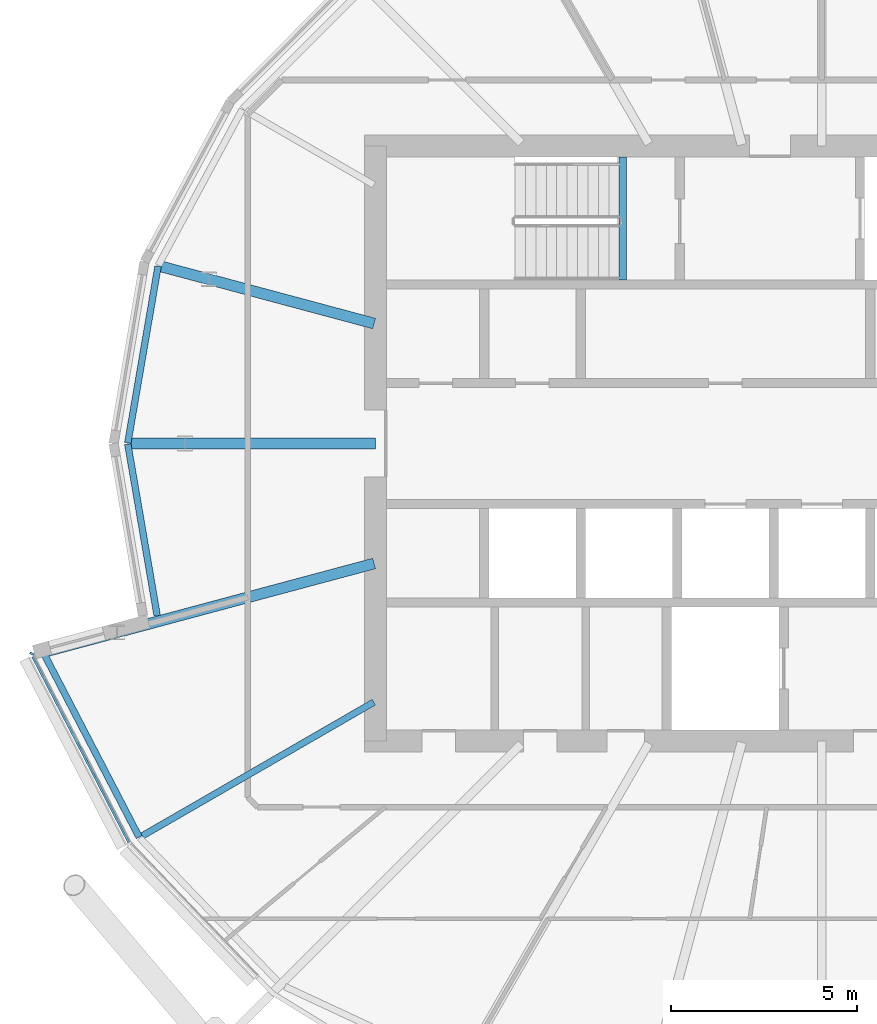
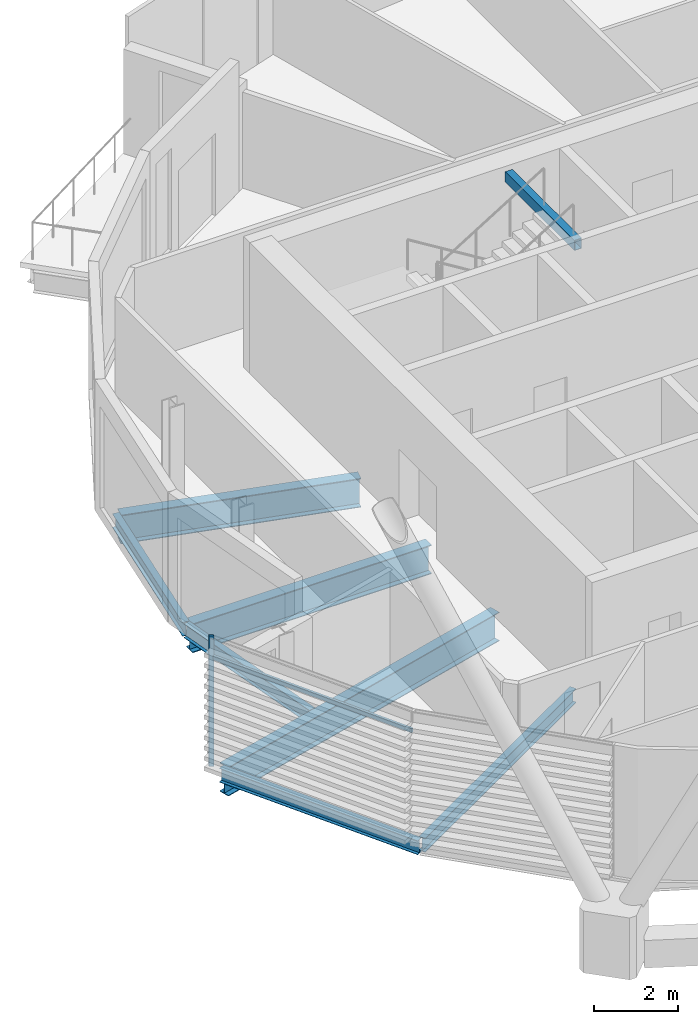
# One storey, part 5 of 37: 8 beams, 2 members, 1 element without a shape of its own.
"""IFC4 building model written with IfcOpenShell, lengths in metres."""

from ifc_helpers import new_model, si_unit, direction, frame, origin, origin_2d, place, context, subcontext, project, spatial, rectangle, hollow_rectangle, i_section, extrude, material, material_profile, profile_set, type_object, element, aggregate, save


model = new_model("IFC4")

# Units and contexts
model_context = context("Model", 3, precision=1e-05, world=origin(), true_north=direction((0.0, 1.0)))
body_context = subcontext(model_context, "Body", "Model", "MODEL_VIEW")
ifc_project = project(units=[si_unit("LENGTHUNIT", "METRE"), si_unit("AREAUNIT", "SQUARE_METRE"), si_unit("VOLUMEUNIT", "CUBIC_METRE"), si_unit("PLANEANGLEUNIT", "RADIAN"), si_unit("MASSUNIT", "GRAM", prefix="KILO")], contexts=[model_context])

# Site, building, storey
site_placement = place(None, origin())
site = spatial("IfcSite", under=ifc_project, at=site_placement, CompositionType="ELEMENT")
building_placement = place(site_placement, origin())
building = spatial("IfcBuilding", under=site, at=building_placement, Name="Rimbun Link Towers", CompositionType="ELEMENT")
storey_placement = place(building_placement, frame((0.0, 0.0, 170.300048828125)))
storey = spatial("IfcBuildingStorey", under=building, at=storey_placement, Name="L41", CompositionType="ELEMENT", Elevation=170.300048828125)

# Curtain wall, members
ifc_material_1 = material(Name="Aluminium 6063-T6 and low-iron glass", Category="aluminium")
curtain_wall_type = type_object("IfcCurtainWallType", Name="CW1-Z3 unitised vision wall (zone 3)", PredefinedType="NOTDEFINED", material=ifc_material_1)
curtain_wall_placement = place(storey_placement, origin())
curtain_wall = element("IfcCurtainWall", 1, at=curtain_wall_placement, inside=storey, type_object=curtain_wall_type, Name="CW1 L41 T1", PredefinedType="NOTDEFINED")
ifc_material_2 = material(Name="Aluminium 6063-T6", Category="aluminium")
ifc_material_profile_1 = material_profile(ifc_material_2, rectangle(XDim=0.1201171875, YDim=0.06005859375, at=origin_2d()), Name="MULLION 60X120")
ifc_profile_set_1 = profile_set([ifc_material_profile_1], Name="Aluminium 6063-T6")
member_type_1 = type_object("IfcMemberType", Name="CW1 mullion 60X120", PredefinedType="MULLION", material=ifc_profile_set_1)
member_1_placement = place(storey_placement, frame((-52.989990234375, -5.65234375, 0.0), z_axis=(0.0, 0.0, 1.0), x_axis=(-0.914812198449, 0.403879488918, 0.0)))
member_1 = element("IfcMember", 2, at=member_1_placement, type_object=member_type_1, Name="CW1 mullion", PredefinedType="MULLION", context=body_context, shape_type="SweptSolid", body=[
    extrude(rectangle(XDim=0.1201171875, YDim=0.06005859375, at=origin_2d()), origin(), (0.0, 0.0, 1.0), 3.800048828125),
])
ifc_material_3 = material(Name="Aluminium 6063-T6", Category="aluminium")
ifc_material_profile_2 = material_profile(ifc_material_3, rectangle(XDim=0.06005859375, YDim=0.1201171875, at=origin_2d()), Name="TRANSOM 60X120")
ifc_profile_set_2 = profile_set([ifc_material_profile_2], Name="Aluminium 6063-T6")
member_type_2 = type_object("IfcMemberType", Name="CW1 transom 60X120", PredefinedType="USERDEFINED", material=ifc_profile_set_2)
member_2_placement = place(storey_placement, frame((-50.388916015625, -10.723388671875, 3.199951171875), z_axis=(-0.459571750769, 0.888140645335, 0.0), x_axis=(-0.888140645335, -0.459571750769, 0.0)))
member_2 = element("IfcMember", 3, at=member_2_placement, type_object=member_type_2, Name="CW1 transom", ObjectType="TRANSOM", PredefinedType="USERDEFINED", context=body_context, shape_type="SweptSolid", body=[
    extrude(rectangle(XDim=0.06005859375, YDim=0.1201171875, at=origin_2d()), origin(), (0.0, 0.0, 1.0), 5.62255859375),
])
aggregate(curtain_wall, [member_1, member_2])

# Beams
ifc_material_4 = material(Name="Steel S355J2", Category="steel")
ifc_material_profile_3 = material_profile(ifc_material_4, hollow_rectangle(XDim=0.199951171875, YDim=0.300048828125, WallThickness=0.011962890625, at=origin_2d()), Name="BOX 300x200x12")
ifc_profile_set_3 = profile_set([ifc_material_profile_3], Name="Steel S355J2")
beam_type_1 = type_object("IfcBeamType", Name="Stair trimmer beam BOX 300x200x12", PredefinedType="BEAM", material=ifc_profile_set_3)
beam_1_placement = place(storey_placement, frame((-37.10009765625, 7.699951171875, 3.5), z_axis=(0.0, -1.0, 0.0), x_axis=(1.0, 0.0, 0.0)))
element("IfcBeam", 4, at=beam_1_placement, inside=storey, type_object=beam_type_1, Name="L41 ST1 stair beam 1", PredefinedType="BEAM", context=body_context, shape_type="SweptSolid", body=[
    extrude(hollow_rectangle(XDim=0.199951171875, YDim=0.300048828125, WallThickness=0.011962890625, at=origin_2d()), origin(), (0.0, 0.0, 1.0), 3.300048828125),
])
ifc_material_5 = material(Name="Steel S355J2", Category="steel")
ifc_material_profile_4 = material_profile(ifc_material_5, i_section(OverallWidth=0.177978515625, OverallDepth=0.406494140625, WebThickness=0.0078125, FlangeThickness=0.0126953125, at=origin_2d()), Name="UB 406x178x60")
ifc_profile_set_4 = profile_set([ifc_material_profile_4], Name="Steel S355J2")
beam_type_2 = type_object("IfcBeamType", Name="UB 406x178x60", PredefinedType="BEAM", material=ifc_profile_set_4)
beam_2_placement = place(storey_placement, frame((-43.79541015625, -6.954345703125, -0.353271484375), z_axis=(-0.86602387423, -0.500002649256, 0.0), x_axis=(0.500002649256, -0.86602387423, 0.0)))
element("IfcBeam", 5, at=beam_2_placement, inside=storey, type_object=beam_type_2, Name="Radial beam T1 L41 14", PredefinedType="BEAM", context=body_context, shape_type="SweptSolid", body=[
    extrude(i_section(OverallWidth=0.177978515625, OverallDepth=0.406494140625, WebThickness=0.0078125, FlangeThickness=0.0126953125, at=origin_2d()), origin(), (0.0, 0.0, 1.0), 7.1904296875),
])
beam_3_placement = place(storey_placement, frame((-49.5986328125, 4.7666015625, -0.353271484375), z_axis=(-0.168783846977, -0.98565308958, 0.0), x_axis=(0.98565308958, -0.168783846977, 0.0)))
element("IfcBeam", 6, at=beam_3_placement, inside=storey, type_object=beam_type_2, Name="Edge beam T1 L41 11 recess", PredefinedType="BEAM", context=body_context, shape_type="SweptSolid", body=[
    extrude(i_section(OverallWidth=0.177978515625, OverallDepth=0.406494140625, WebThickness=0.0078125, FlangeThickness=0.0126953125, at=origin_2d()), origin(), (0.0, 0.0, 1.0), 4.819580078125),
])
beam_4_placement = place(storey_placement, frame((-50.412109375, -0.01611328125, -0.353271484375), z_axis=(0.168797263742, -0.985650791991, 0.0), x_axis=(0.985650791991, 0.168797263742, 0.0)))
element("IfcBeam", 7, at=beam_4_placement, inside=storey, type_object=beam_type_2, Name="Edge beam T1 L41 12 recess", PredefinedType="BEAM", context=body_context, shape_type="SweptSolid", body=[
    extrude(i_section(OverallWidth=0.177978515625, OverallDepth=0.406494140625, WebThickness=0.0078125, FlangeThickness=0.0126953125, at=origin_2d()), origin(), (0.0, 0.0, 1.0), 4.678955078125),
])
beam_5_placement = place(storey_placement, frame((-52.6875, -5.611083984375, -0.353271484375), z_axis=(0.460674637591, -0.887569083666, 0.0), x_axis=(0.887569083666, 0.460674637591, 0.0)))
element("IfcBeam", 8, at=beam_5_placement, inside=storey, type_object=beam_type_2, Name="Edge beam T1 L41 13", PredefinedType="BEAM", context=body_context, shape_type="SweptSolid", body=[
    extrude(i_section(OverallWidth=0.177978515625, OverallDepth=0.406494140625, WebThickness=0.0078125, FlangeThickness=0.0126953125, at=origin_2d()), origin(), (0.0, 0.0, 1.0), 5.60107421875),
])
ifc_material_6 = material(Name="Steel S355J2", Category="steel")
ifc_material_profile_5 = material_profile(ifc_material_6, i_section(OverallWidth=0.29248046875, OverallDepth=0.8408203125, WebThickness=0.0126953125, FlangeThickness=0.021728515625, at=origin_2d()), Name="UB 838x292x194")
ifc_profile_set_5 = profile_set([ifc_material_profile_5], Name="Steel S355J2")
beam_type_3 = type_object("IfcBeamType", Name="UB 838x292x194", PredefinedType="BEAM", material=ifc_profile_set_5)
beam_6_placement = place(storey_placement, frame((-43.788818359375, 3.225830078125, -0.570556640625), z_axis=(-0.96592633727, 0.258817138087, 0.0), x_axis=(-0.258817138087, -0.96592633727, 0.0)))
element("IfcBeam", 9, at=beam_6_placement, inside=storey, type_object=beam_type_3, Name="Radial beam T1 L41 11", PredefinedType="BEAM", context=body_context, shape_type="SweptSolid", body=[
    extrude(i_section(OverallWidth=0.29248046875, OverallDepth=0.8408203125, WebThickness=0.0126953125, FlangeThickness=0.021728515625, at=origin_2d()), origin(), (0.0, 0.0, 1.0), 5.922119140625),
])
beam_7_placement = place(storey_placement, frame((-43.7509765625, 0.0, -0.570556640625), z_axis=(-1.0, 0.0, 0.0), x_axis=(0.0, -1.0, 0.0)))
element("IfcBeam", 10, at=beam_7_placement, inside=storey, type_object=beam_type_3, Name="Radial beam T1 L41 12", PredefinedType="BEAM", context=body_context, shape_type="SweptSolid", body=[
    extrude(i_section(OverallWidth=0.29248046875, OverallDepth=0.8408203125, WebThickness=0.0126953125, FlangeThickness=0.021728515625, at=origin_2d()), origin(), (0.0, 0.0, 1.0), 6.573974609375),
])
beam_8_placement = place(storey_placement, frame((-43.788818359375, -3.225830078125, -0.570556640625), z_axis=(-0.965927262063, -0.258813686662, 0.0), x_axis=(0.258813686662, -0.965927262063, 0.0)))
element("IfcBeam", 11, at=beam_8_placement, inside=storey, type_object=beam_type_3, Name="Radial beam T1 L41 13", PredefinedType="BEAM", context=body_context, shape_type="SweptSolid", body=[
    extrude(i_section(OverallWidth=0.29248046875, OverallDepth=0.8408203125, WebThickness=0.0126953125, FlangeThickness=0.021728515625, at=origin_2d()), origin(), (0.0, 0.0, 1.0), 9.120849609375),
])

save(model, "model.ifc")
